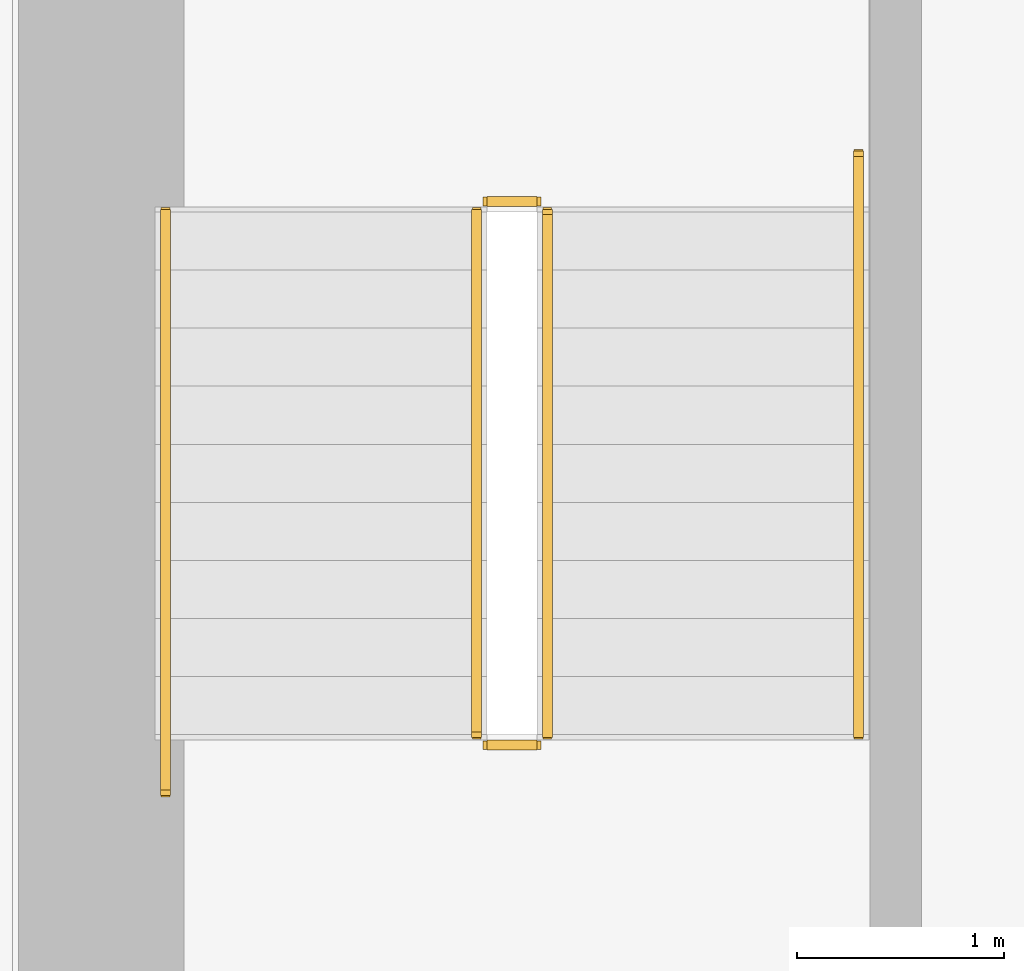
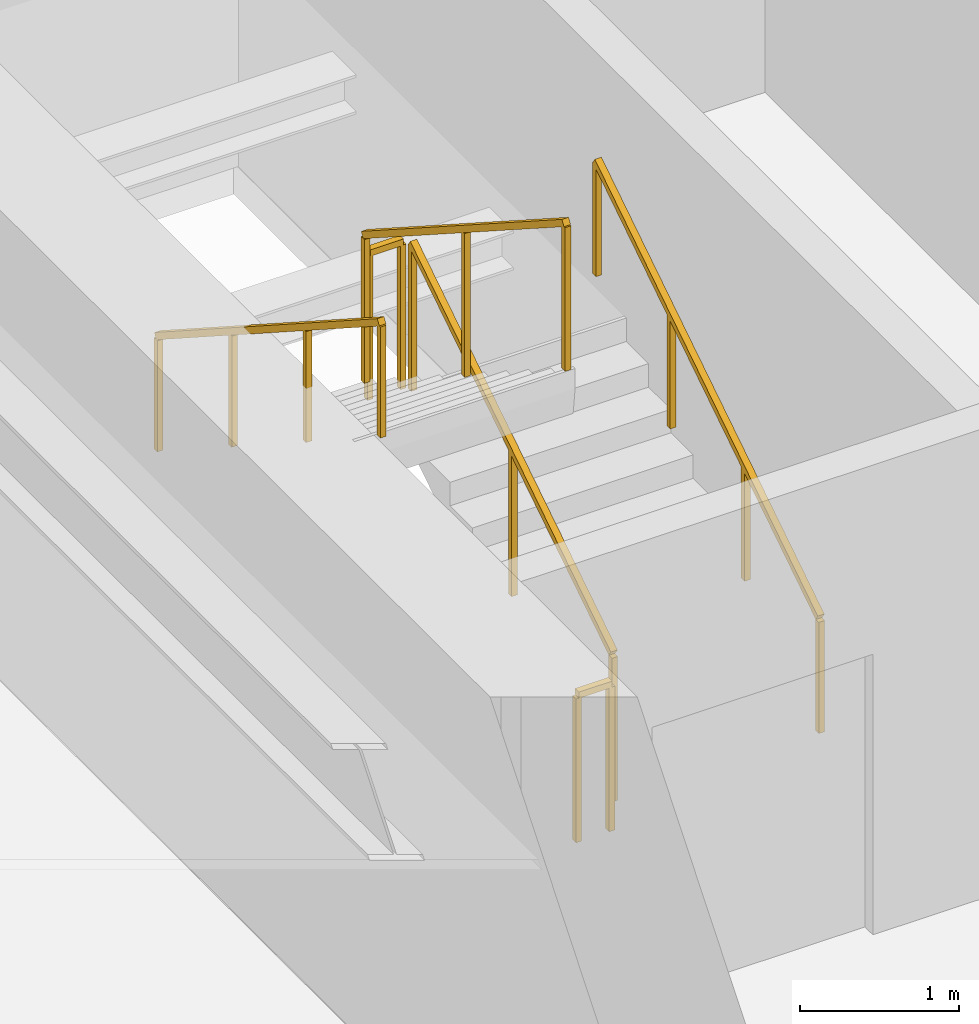
# One storey, part 29 of 32: 6 railings.
"""IFC4 building model written with IfcOpenShell, lengths in metres."""

import ifcopenshell
import ifcopenshell.guid

model = None  # the IFC model being written
_history = None  # IfcOwnerHistory: only IFC2X3 demands one
_inside = {}  # id of a spatial element -> (the spatial element, [elements in it])
_under = {}  # id of a project, library or spatial element -> (it, [spatial elements below it])
_declared = {}  # id of a project -> (the project, [libraries it declares])
_typed = {}  # id of a type object -> (the type object, [elements of that type])
_made_of = {}  # id of a material, layer set ... -> (it, [elements and type objects made of it])


def new_model(schema):
    """Start an empty IFC model of exactly this schema.

    Asked for "IFC4X3", IfcOpenShell would pick the latest addendum, in which some entities
    have other attributes; the version numbers below select the first issue.
    IFC2X3 requires an IfcOwnerHistory on every rooted entity: one is made here for all.
    """
    global model, _history
    if schema == "IFC4X3":
        model = ifcopenshell.file(schema_version=(4, 3, 0, 0))
    else:
        model = ifcopenshell.file(schema=schema)
    _inside.clear()
    _under.clear()
    _declared.clear()
    _typed.clear()
    _made_of.clear()
    _history = None
    if model.schema == "IFC2X3":
        org = make("IfcOrganization", Name="unknown")
        user = make(
            "IfcPersonAndOrganization",
            ThePerson=make("IfcPerson", FamilyName="unknown"),
            TheOrganization=org,
        )
        app = make(
            "IfcApplication",
            ApplicationDeveloper=org,
            Version="unknown",
            ApplicationFullName="unknown",
            ApplicationIdentifier="unknown",
        )
        _history = make(
            "IfcOwnerHistory",
            OwningUser=user,
            OwningApplication=app,
            ChangeAction="ADDED",
            CreationDate=0,
        )
    return model


def make(cls, **values):
    """One entity of the class cls with the attributes given. An attribute that is None is left unset."""
    return model.create_entity(
        cls, **{name: value for name, value in values.items() if value is not None}
    )


def rooted(cls, **values):
    """An entity with a GlobalId (a new one), such as an element, a storey or a relation."""
    return make(cls, GlobalId=ifcopenshell.guid.new(), OwnerHistory=_history, **values)


def si_unit(unit_type, name, prefix=None):
    """IfcSIUnit, for example si_unit("LENGTHUNIT", "METRE", prefix="MILLI")."""
    return make("IfcSIUnit", UnitType=unit_type, Prefix=prefix, Name=name)


def assignment(units):
    """IfcUnitAssignment: the units of a project."""
    return None if units is None else make("IfcUnitAssignment", Units=units)


def point(xyz):
    """IfcCartesianPoint."""
    return None if xyz is None else make("IfcCartesianPoint", Coordinates=xyz)


def direction(xyz):
    """IfcDirection."""
    return None if xyz is None else make("IfcDirection", DirectionRatios=xyz)


def frame(location, z_axis=None, x_axis=None):
    """IfcAxis2Placement3D, a coordinate frame: its origin and axes. An axis left out is left unset."""
    return make(
        "IfcAxis2Placement3D",
        Location=point(location),
        Axis=direction(z_axis),
        RefDirection=direction(x_axis),
    )


def frame_2d(location, x_axis=None):
    """IfcAxis2Placement2D, a coordinate frame in the plane: its origin and x axis."""
    return make(
        "IfcAxis2Placement2D", Location=point(location), RefDirection=direction(x_axis)
    )


def origin():
    """The frame at (0, 0, 0) with its axes left unset."""
    return frame((0.0, 0.0, 0.0))


def origin_2d():
    """The frame at (0, 0) in the plane with its x axis left unset."""
    return frame_2d((0.0, 0.0))


def place(relative_to, where):
    """IfcLocalPlacement: puts the frame where relative to a parent placement (None: the world)."""
    return make(
        "IfcLocalPlacement", PlacementRelTo=relative_to, RelativePlacement=where
    )


def context(
    kind, dimensions, precision=None, world=None, true_north=None, identifier=None
):
    """IfcGeometricRepresentationContext, for example the 3D "Model" context."""
    return make(
        "IfcGeometricRepresentationContext",
        ContextIdentifier=identifier,
        ContextType=kind,
        CoordinateSpaceDimension=dimensions,
        Precision=precision,
        WorldCoordinateSystem=world,
        TrueNorth=true_north,
    )


def subcontext(parent, identifier, kind, view, scale=None):
    """IfcGeometricRepresentationSubContext, for example "Body" below "Model"."""
    return make(
        "IfcGeometricRepresentationSubContext",
        ContextIdentifier=identifier,
        ContextType=kind,
        ParentContext=parent,
        TargetScale=scale,
        TargetView=view,
    )


def project(units=None, contexts=None):
    """IfcProject with its units and contexts."""
    return rooted(
        "IfcProject",
        Name="project",
        RepresentationContexts=contexts,
        UnitsInContext=assignment(units),
    )


def spatial(cls, under=None, at=None, **own):
    """A site, building, storey or space (cls), placed at a placement, below another one or the project."""
    s = rooted(cls, ObjectPlacement=at, **own)
    if under is not None:
        _under.setdefault(under.id(), (under, []))[1].append(s)
    return s


def profile(cls, at=None, kind="AREA", **sizes):
    """A parametric profile (cls). Its sizes go by their IFC names, for example OverallWidth=200.0."""
    return make(cls, ProfileType=kind, Position=at, **sizes)


def rectangle(**sizes):
    """IfcRectangleProfileDef."""
    return profile("IfcRectangleProfileDef", **sizes)


def extrude(swept, where, along, depth):
    """IfcExtrudedAreaSolid: the profile swept, set in the frame where, extruded along a direction by depth."""
    return make(
        "IfcExtrudedAreaSolid",
        SweptArea=swept,
        Position=where,
        ExtrudedDirection=direction(along),
        Depth=depth,
    )


def shape(context_of_items, identifier, shape_type, items):
    """IfcShapeRepresentation: the items that make up one representation, for example the "Body"."""
    return make(
        "IfcShapeRepresentation",
        ContextOfItems=context_of_items,
        RepresentationIdentifier=identifier,
        RepresentationType=shape_type,
        Items=items,
    )


def material(Name=None, Category=None):
    """IfcMaterial."""
    return make("IfcMaterial", Name=Name, Category=Category)


def made_of(thing, what):
    """Note that an element or type object is made of a material, layer set ...; save() writes the relation."""
    if what is not None:
        _made_of.setdefault(what.id(), (what, []))[1].append(thing)
    return thing


def type_object(cls, material=None, **own):
    """A type object (cls), such as IfcWallType, which elements share."""
    return made_of(rooted(cls, **own), material)


def element(
    cls,
    number,
    at=None,
    inside=None,
    cuts=None,
    type_object=None,
    material=None,
    context=None,
    identifier="Body",
    shape_type=None,
    held_by="IfcProductDefinitionShape",
    body=None,
    shapes=None,
    **own,
):
    """One element of the class cls, such as IfcWall. Its Tag is "e" and its number.

    at: its placement. inside: the storey or other place that contains it. cuts: it is an
    opening in that element (IfcRelVoidsElement). A single representation is given by context,
    identifier, shape_type and body (its items); several are given by shapes. held_by: the class
    of the entity that holds the representations. save() writes the other relations.
    """
    e = rooted(cls, Tag="e%d" % number, ObjectPlacement=at, **own)
    if body is not None:
        shapes = [shape(context, identifier, shape_type, body)]
    if shapes is not None:
        e.Representation = make(held_by, Representations=shapes)
    if inside is not None:
        _inside.setdefault(inside.id(), (inside, []))[1].append(e)
    if cuts is not None:
        rooted(
            "IfcRelVoidsElement", RelatingBuildingElement=cuts, RelatedOpeningElement=e
        )
    if type_object is not None:
        _typed.setdefault(type_object.id(), (type_object, []))[1].append(e)
    return made_of(e, material)


def aggregate(whole, parts):
    """IfcRelAggregates: a whole, such as a stair, and the parts it consists of."""
    return rooted("IfcRelAggregates", RelatingObject=whole, RelatedObjects=parts)


def save(model, path):
    """Write the relations noted so far, then the file.

    IfcRelAggregates (storeys below a building ...), IfcRelContainedInSpatialStructure (elements
    in a storey), IfcRelDefinesByType, IfcRelAssociatesMaterial and IfcRelDeclares: one each for
    every whole, place, type object, material and project.
    """
    for whole, parts in _under.values():
        aggregate(whole, parts)
    for where, things in _inside.values():
        rooted(
            "IfcRelContainedInSpatialStructure",
            RelatedElements=things,
            RelatingStructure=where,
        )
    for kind, things in _typed.values():
        rooted("IfcRelDefinesByType", RelatedObjects=things, RelatingType=kind)
    for what, things in _made_of.values():
        rooted("IfcRelAssociatesMaterial", RelatedObjects=things, RelatingMaterial=what)
    for by, libraries in _declared.values():
        rooted("IfcRelDeclares", RelatingContext=by, RelatedDefinitions=libraries)
    model.write(path)


model = new_model("IFC4")

# Units and contexts
model_context = context("Model", 3, precision=1e-05, world=origin(), true_north=direction((0.0, 1.0)))
body_context = subcontext(model_context, "Body", "Model", "MODEL_VIEW")
ifc_project = project(units=[si_unit("LENGTHUNIT", "METRE"), si_unit("AREAUNIT", "SQUARE_METRE"), si_unit("VOLUMEUNIT", "CUBIC_METRE"), si_unit("PLANEANGLEUNIT", "RADIAN"), si_unit("MASSUNIT", "GRAM", prefix="KILO")], contexts=[model_context])

# Site, building, storey
site_placement = place(None, origin())
site = spatial("IfcSite", under=ifc_project, at=site_placement, CompositionType="ELEMENT")
building_placement = place(site_placement, origin())
building = spatial("IfcBuilding", under=site, at=building_placement, Name="Sumidabori Civic Tower", CompositionType="ELEMENT")
storey_placement = place(building_placement, frame((0.0, 0.0, 52.39990234375)))
storey = spatial("IfcBuildingStorey", under=building, at=storey_placement, Name="L13", CompositionType="ELEMENT", Elevation=52.39990234375)

# Railings
ifc_material_1 = material(Name="Stainless Steel Hairline Finish", Category="steel")
railing_type_1 = type_object("IfcRailingType", Name="RL-HANDRAIL", PredefinedType="HANDRAIL", material=ifc_material_1)
railing_1_placement = place(storey_placement, frame((-11.949951171875, 16.0, 0.18017578125)))
element("IfcRailing", 1, at=railing_1_placement, inside=storey, type_object=railing_type_1, Name="L13 ST-1 stair handrail 1", PredefinedType="HANDRAIL", context=body_context, shape_type="SweptSolid", body=[
    extrude(rectangle(XDim=0.048095703125, YDim=0.048095703125, at=origin_2d()), frame((0.0, 0.0, 0.8759765625), z_axis=(0.0, 0.840675598268, 0.541539046124), x_axis=(-1.0, 0.0, 0.0)), (0.0, 0.0, 1.0), 3.330810546875),
    extrude(rectangle(XDim=0.0419921875, YDim=0.0419921875, at=origin_2d()), origin(), (0.0, 0.0, 1.0), 0.851806640625),
    extrude(rectangle(XDim=0.0419921875, YDim=0.0419921875, at=origin_2d()), frame((0.0, 0.933349609375, 0.601318359375)), (0.0, 0.0, 1.0), 0.851806640625),
    extrude(rectangle(XDim=0.0419921875, YDim=0.0419921875, at=origin_2d()), frame((0.0, 1.86669921875, 1.202392578125)), (0.0, 0.0, 1.0), 0.851806640625),
    extrude(rectangle(XDim=0.0419921875, YDim=0.0419921875, at=origin_2d()), frame((0.0, 2.800048828125, 1.8037109375)), (0.0, 0.0, 1.0), 0.851806640625),
])
railing_2_placement = place(storey_placement, frame((-15.2900390625, 18.52001953125, 1.97998046875)))
element("IfcRailing", 2, at=railing_2_placement, inside=storey, type_object=railing_type_1, Name="L13 ST-1 stair handrail 2", PredefinedType="HANDRAIL", context=body_context, shape_type="SweptSolid", body=[
    extrude(rectangle(XDim=0.048095703125, YDim=0.048095703125, at=origin_2d()), frame((0.0, 0.0, 0.8759765625), z_axis=(0.0, -0.84064222762, 0.54159084662), x_axis=(1.0, 0.0, 0.0)), (0.0, 0.0, 1.0), 3.330810546875),
    extrude(rectangle(XDim=0.0419921875, YDim=0.0419921875, at=origin_2d()), origin(), (0.0, 0.0, 1.0), 0.851806640625),
    extrude(rectangle(XDim=0.0419921875, YDim=0.0419921875, at=origin_2d()), frame((0.0, -0.933349609375, 0.601318359375)), (0.0, 0.0, 1.0), 0.851806640625),
    extrude(rectangle(XDim=0.0419921875, YDim=0.0419921875, at=origin_2d()), frame((0.0, -1.86669921875, 1.20263671875)), (0.0, 0.0, 1.0), 0.851806640625),
    extrude(rectangle(XDim=0.0419921875, YDim=0.0419921875, at=origin_2d()), frame((0.0, -2.800048828125, 1.803955078125)), (0.0, 0.0, 1.0), 0.851806640625),
])
ifc_material_2 = material(Name="Steel SN490", Category="steel")
railing_type_2 = type_object("IfcRailingType", Name="RL-STAIR-GUARD", PredefinedType="GUARDRAIL", material=ifc_material_2)
railing_3_placement = place(storey_placement, frame((-13.449951171875, 16.0, 0.18017578125)))
element("IfcRailing", 3, at=railing_3_placement, inside=storey, type_object=railing_type_2, Name="L13 ST-1 stair guard 1", PredefinedType="GUARDRAIL", context=body_context, shape_type="SweptSolid", body=[
    extrude(rectangle(XDim=0.048095703125, YDim=0.048095703125, at=origin_2d()), frame((0.0, 0.0, 1.1259765625), z_axis=(0.0, 0.841199657755, 0.540724639528), x_axis=(-1.0, 0.0, 0.0)), (0.0, 0.0, 1.0), 2.995849609375),
    extrude(rectangle(XDim=0.0419921875, YDim=0.0419921875, at=origin_2d()), origin(), (0.0, 0.0, 1.0), 1.101806640625),
    extrude(rectangle(XDim=0.0419921875, YDim=0.0419921875, at=origin_2d()), frame((0.0, 1.260009765625, 0.81005859375)), (0.0, 0.0, 1.0), 1.101806640625),
    extrude(rectangle(XDim=0.0419921875, YDim=0.0419921875, at=origin_2d()), frame((0.0, 2.52001953125, 1.619873046875)), (0.0, 0.0, 1.0), 1.101806640625),
])
railing_4_placement = place(storey_placement, frame((-13.5, 18.570068359375, 1.800048828125)))
element("IfcRailing", 4, at=railing_4_placement, inside=storey, type_object=railing_type_2, Name="L13 ST-1 stair guard 2", PredefinedType="GUARDRAIL", context=body_context, shape_type="SweptSolid", body=[
    extrude(rectangle(XDim=0.048095703125, YDim=0.048095703125, at=origin_2d()), frame((0.0, 0.0, 1.1259765625), z_axis=(-1.0, 0.0, 0.0), x_axis=(0.0, -1.0, 0.0)), (0.0, 0.0, 1.0), 0.239990234375),
    extrude(rectangle(XDim=0.0419921875, YDim=0.0419921875, at=origin_2d()), origin(), (0.0, 0.0, 1.0), 1.101806640625),
    extrude(rectangle(XDim=0.0419921875, YDim=0.0419921875, at=origin_2d()), frame((-0.239990234375, 0.0, 0.0)), (0.0, 0.0, 1.0), 1.101806640625),
])
railing_5_placement = place(storey_placement, frame((-13.7900390625, 18.52001953125, 1.97998046875)))
element("IfcRailing", 5, at=railing_5_placement, inside=storey, type_object=railing_type_2, Name="L13 ST-1 stair guard 3", PredefinedType="GUARDRAIL", context=body_context, shape_type="SweptSolid", body=[
    extrude(rectangle(XDim=0.048095703125, YDim=0.048095703125, at=origin_2d()), frame((0.0, 0.0, 1.1259765625), z_axis=(0.0, -0.841162588446, 0.540782303519), x_axis=(1.0, 0.0, 0.0)), (0.0, 0.0, 1.0), 2.995849609375),
    extrude(rectangle(XDim=0.0419921875, YDim=0.0419921875, at=origin_2d()), origin(), (0.0, 0.0, 1.0), 1.101806640625),
    extrude(rectangle(XDim=0.0419921875, YDim=0.0419921875, at=origin_2d()), frame((0.0, -1.260009765625, 0.81005859375)), (0.0, 0.0, 1.0), 1.101806640625),
    extrude(rectangle(XDim=0.0419921875, YDim=0.0419921875, at=origin_2d()), frame((0.0, -2.52001953125, 1.6201171875)), (0.0, 0.0, 1.0), 1.101806640625),
])
railing_6_placement = place(storey_placement, frame((-13.5, 15.949951171875, 0.0)))
element("IfcRailing", 6, at=railing_6_placement, inside=storey, type_object=railing_type_2, Name="L13 ST-1 stair guard 4", PredefinedType="GUARDRAIL", context=body_context, shape_type="SweptSolid", body=[
    extrude(rectangle(XDim=0.048095703125, YDim=0.048095703125, at=origin_2d()), frame((0.0, 0.0, 1.1259765625), z_axis=(-1.0, 0.0, 0.0), x_axis=(0.0, -1.0, 0.0)), (0.0, 0.0, 1.0), 0.239990234375),
    extrude(rectangle(XDim=0.0419921875, YDim=0.0419921875, at=origin_2d()), origin(), (0.0, 0.0, 1.0), 1.101806640625),
    extrude(rectangle(XDim=0.0419921875, YDim=0.0419921875, at=origin_2d()), frame((-0.239990234375, 0.0, 0.0)), (0.0, 0.0, 1.0), 1.101806640625),
])

save(model, "model.ifc")
